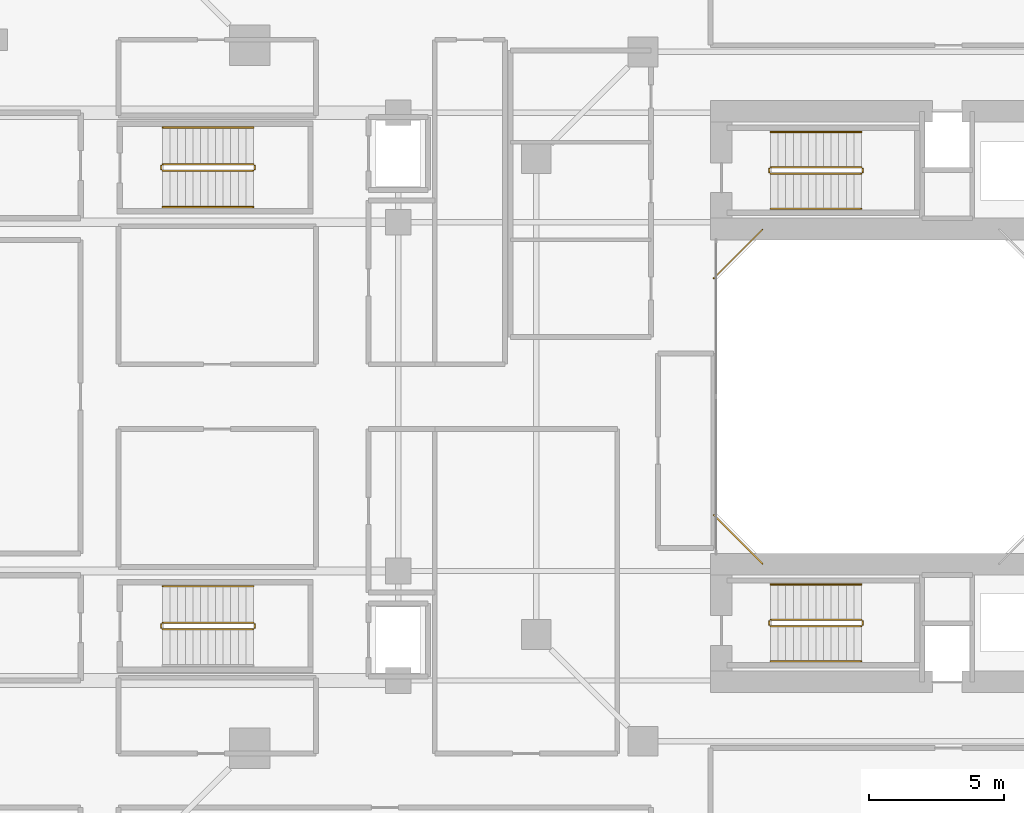
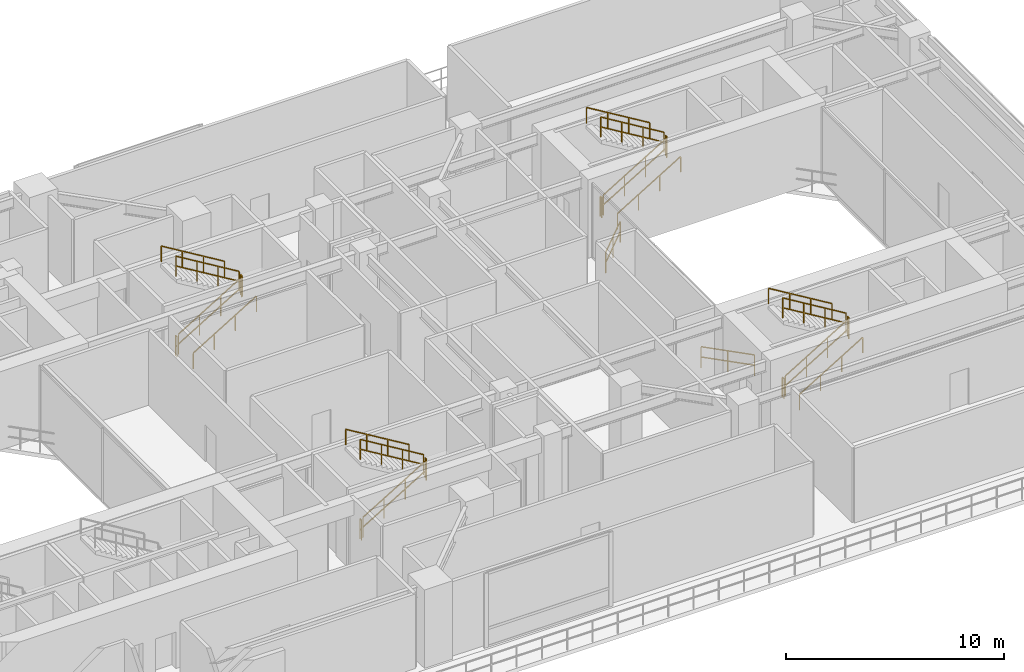
# One storey, part 18 of 19: 25 railings.
"""IFC4 building model written with IfcOpenShell, lengths in metres."""

import ifcopenshell
import ifcopenshell.guid

model = None  # the IFC model being written
_history = None  # IfcOwnerHistory: only IFC2X3 demands one
_inside = {}  # id of a spatial element -> (the spatial element, [elements in it])
_under = {}  # id of a project, library or spatial element -> (it, [spatial elements below it])
_declared = {}  # id of a project -> (the project, [libraries it declares])
_typed = {}  # id of a type object -> (the type object, [elements of that type])
_made_of = {}  # id of a material, layer set ... -> (it, [elements and type objects made of it])


def new_model(schema):
    """Start an empty IFC model of exactly this schema.

    Asked for "IFC4X3", IfcOpenShell would pick the latest addendum, in which some entities
    have other attributes; the version numbers below select the first issue.
    IFC2X3 requires an IfcOwnerHistory on every rooted entity: one is made here for all.
    """
    global model, _history
    if schema == "IFC4X3":
        model = ifcopenshell.file(schema_version=(4, 3, 0, 0))
    else:
        model = ifcopenshell.file(schema=schema)
    _inside.clear()
    _under.clear()
    _declared.clear()
    _typed.clear()
    _made_of.clear()
    _history = None
    if model.schema == "IFC2X3":
        org = make("IfcOrganization", Name="unknown")
        user = make(
            "IfcPersonAndOrganization",
            ThePerson=make("IfcPerson", FamilyName="unknown"),
            TheOrganization=org,
        )
        app = make(
            "IfcApplication",
            ApplicationDeveloper=org,
            Version="unknown",
            ApplicationFullName="unknown",
            ApplicationIdentifier="unknown",
        )
        _history = make(
            "IfcOwnerHistory",
            OwningUser=user,
            OwningApplication=app,
            ChangeAction="ADDED",
            CreationDate=0,
        )
    return model


def make(cls, **values):
    """One entity of the class cls with the attributes given. An attribute that is None is left unset."""
    return model.create_entity(
        cls, **{name: value for name, value in values.items() if value is not None}
    )


def rooted(cls, **values):
    """An entity with a GlobalId (a new one), such as an element, a storey or a relation."""
    return make(cls, GlobalId=ifcopenshell.guid.new(), OwnerHistory=_history, **values)


def si_unit(unit_type, name, prefix=None):
    """IfcSIUnit, for example si_unit("LENGTHUNIT", "METRE", prefix="MILLI")."""
    return make("IfcSIUnit", UnitType=unit_type, Prefix=prefix, Name=name)


def assignment(units):
    """IfcUnitAssignment: the units of a project."""
    return None if units is None else make("IfcUnitAssignment", Units=units)


def point(xyz):
    """IfcCartesianPoint."""
    return None if xyz is None else make("IfcCartesianPoint", Coordinates=xyz)


def direction(xyz):
    """IfcDirection."""
    return None if xyz is None else make("IfcDirection", DirectionRatios=xyz)


def frame(location, z_axis=None, x_axis=None):
    """IfcAxis2Placement3D, a coordinate frame: its origin and axes. An axis left out is left unset."""
    return make(
        "IfcAxis2Placement3D",
        Location=point(location),
        Axis=direction(z_axis),
        RefDirection=direction(x_axis),
    )


def frame_2d(location, x_axis=None):
    """IfcAxis2Placement2D, a coordinate frame in the plane: its origin and x axis."""
    return make(
        "IfcAxis2Placement2D", Location=point(location), RefDirection=direction(x_axis)
    )


def origin():
    """The frame at (0, 0, 0) with its axes left unset."""
    return frame((0.0, 0.0, 0.0))


def origin_2d():
    """The frame at (0, 0) in the plane with its x axis left unset."""
    return frame_2d((0.0, 0.0))


def place(relative_to, where):
    """IfcLocalPlacement: puts the frame where relative to a parent placement (None: the world)."""
    return make(
        "IfcLocalPlacement", PlacementRelTo=relative_to, RelativePlacement=where
    )


def context(
    kind, dimensions, precision=None, world=None, true_north=None, identifier=None
):
    """IfcGeometricRepresentationContext, for example the 3D "Model" context."""
    return make(
        "IfcGeometricRepresentationContext",
        ContextIdentifier=identifier,
        ContextType=kind,
        CoordinateSpaceDimension=dimensions,
        Precision=precision,
        WorldCoordinateSystem=world,
        TrueNorth=true_north,
    )


def subcontext(parent, identifier, kind, view, scale=None):
    """IfcGeometricRepresentationSubContext, for example "Body" below "Model"."""
    return make(
        "IfcGeometricRepresentationSubContext",
        ContextIdentifier=identifier,
        ContextType=kind,
        ParentContext=parent,
        TargetScale=scale,
        TargetView=view,
    )


def project(units=None, contexts=None):
    """IfcProject with its units and contexts."""
    return rooted(
        "IfcProject",
        Name="project",
        RepresentationContexts=contexts,
        UnitsInContext=assignment(units),
    )


def spatial(cls, under=None, at=None, **own):
    """A site, building, storey or space (cls), placed at a placement, below another one or the project."""
    s = rooted(cls, ObjectPlacement=at, **own)
    if under is not None:
        _under.setdefault(under.id(), (under, []))[1].append(s)
    return s


def profile(cls, at=None, kind="AREA", **sizes):
    """A parametric profile (cls). Its sizes go by their IFC names, for example OverallWidth=200.0."""
    return make(cls, ProfileType=kind, Position=at, **sizes)


def rectangle(**sizes):
    """IfcRectangleProfileDef."""
    return profile("IfcRectangleProfileDef", **sizes)


def extrude(swept, where, along, depth):
    """IfcExtrudedAreaSolid: the profile swept, set in the frame where, extruded along a direction by depth."""
    return make(
        "IfcExtrudedAreaSolid",
        SweptArea=swept,
        Position=where,
        ExtrudedDirection=direction(along),
        Depth=depth,
    )


def shape(context_of_items, identifier, shape_type, items):
    """IfcShapeRepresentation: the items that make up one representation, for example the "Body"."""
    return make(
        "IfcShapeRepresentation",
        ContextOfItems=context_of_items,
        RepresentationIdentifier=identifier,
        RepresentationType=shape_type,
        Items=items,
    )


def material(Name=None, Category=None):
    """IfcMaterial."""
    return make("IfcMaterial", Name=Name, Category=Category)


def made_of(thing, what):
    """Note that an element or type object is made of a material, layer set ...; save() writes the relation."""
    if what is not None:
        _made_of.setdefault(what.id(), (what, []))[1].append(thing)
    return thing


def type_object(cls, material=None, **own):
    """A type object (cls), such as IfcWallType, which elements share."""
    return made_of(rooted(cls, **own), material)


def element(
    cls,
    number,
    at=None,
    inside=None,
    cuts=None,
    type_object=None,
    material=None,
    context=None,
    identifier="Body",
    shape_type=None,
    held_by="IfcProductDefinitionShape",
    body=None,
    shapes=None,
    **own,
):
    """One element of the class cls, such as IfcWall. Its Tag is "e" and its number.

    at: its placement. inside: the storey or other place that contains it. cuts: it is an
    opening in that element (IfcRelVoidsElement). A single representation is given by context,
    identifier, shape_type and body (its items); several are given by shapes. held_by: the class
    of the entity that holds the representations. save() writes the other relations.
    """
    e = rooted(cls, Tag="e%d" % number, ObjectPlacement=at, **own)
    if body is not None:
        shapes = [shape(context, identifier, shape_type, body)]
    if shapes is not None:
        e.Representation = make(held_by, Representations=shapes)
    if inside is not None:
        _inside.setdefault(inside.id(), (inside, []))[1].append(e)
    if cuts is not None:
        rooted(
            "IfcRelVoidsElement", RelatingBuildingElement=cuts, RelatedOpeningElement=e
        )
    if type_object is not None:
        _typed.setdefault(type_object.id(), (type_object, []))[1].append(e)
    return made_of(e, material)


def aggregate(whole, parts):
    """IfcRelAggregates: a whole, such as a stair, and the parts it consists of."""
    return rooted("IfcRelAggregates", RelatingObject=whole, RelatedObjects=parts)


def save(model, path):
    """Write the relations noted so far, then the file.

    IfcRelAggregates (storeys below a building ...), IfcRelContainedInSpatialStructure (elements
    in a storey), IfcRelDefinesByType, IfcRelAssociatesMaterial and IfcRelDeclares: one each for
    every whole, place, type object, material and project.
    """
    for whole, parts in _under.values():
        aggregate(whole, parts)
    for where, things in _inside.values():
        rooted(
            "IfcRelContainedInSpatialStructure",
            RelatedElements=things,
            RelatingStructure=where,
        )
    for kind, things in _typed.values():
        rooted("IfcRelDefinesByType", RelatedObjects=things, RelatingType=kind)
    for what, things in _made_of.values():
        rooted("IfcRelAssociatesMaterial", RelatedObjects=things, RelatingMaterial=what)
    for by, libraries in _declared.values():
        rooted("IfcRelDeclares", RelatingContext=by, RelatedDefinitions=libraries)
    model.write(path)


model = new_model("IFC4")

# Units and contexts
model_context = context("Model", 3, precision=1e-05, world=origin(), true_north=direction((0.0, 1.0)))
body_context = subcontext(model_context, "Body", "Model", "MODEL_VIEW")
ifc_project = project(units=[si_unit("LENGTHUNIT", "METRE"), si_unit("AREAUNIT", "SQUARE_METRE"), si_unit("VOLUMEUNIT", "CUBIC_METRE"), si_unit("PLANEANGLEUNIT", "RADIAN"), si_unit("MASSUNIT", "GRAM", prefix="KILO"), si_unit("THERMODYNAMICTEMPERATUREUNIT", "KELVIN"), si_unit("POWERUNIT", "WATT")], contexts=[model_context])

# Site, building, storey
site_placement = place(None, origin())
site = spatial("IfcSite", under=ifc_project, at=site_placement, CompositionType="ELEMENT")
building_placement = place(site_placement, origin())
building = spatial("IfcBuilding", under=site, at=building_placement, Name="Qiaomeng Ring Towers", CompositionType="ELEMENT")
storey_placement = place(building_placement, frame((0.0, 0.0, 9.39990234375)))
storey = spatial("IfcBuildingStorey", under=building, at=storey_placement, Name="L02", CompositionType="ELEMENT", Elevation=9.39990234375)

# Railings
ifc_material_1 = material(Name="Low-E pale-green laminated safety glass", Category="glass")
railing_type_1 = type_object("IfcRailingType", Name="ARC-RL-BAL1", PredefinedType="BALUSTRADE", material=ifc_material_1)
railing_1_placement = place(storey_placement, frame((56.1201171875, 29.179931640625, 0.0)))
element("IfcRailing", 1, at=railing_1_placement, inside=storey, type_object=railing_type_1, Name="L02 Balustrade ARC-BAL-WELL2-L02-3", PredefinedType="BALUSTRADE", context=body_context, shape_type="SweptSolid", body=[
    extrude(rectangle(XDim=0.048095703125, YDim=0.048095703125, at=origin_2d()), frame((0.0, 0.0, 1.17578125), z_axis=(-0.707106781187, -0.707106781187, 0.0), x_axis=(0.707106781187, -0.707106781187, 0.0)), (0.0, 0.0, 1.0), 2.545654296875),
    extrude(rectangle(XDim=0.048095703125, YDim=0.048095703125, at=origin_2d()), frame((0.0, 0.0, 0.60009765625), z_axis=(-0.707106781187, -0.707106781187, 0.0), x_axis=(0.707106781187, -0.707106781187, 0.0)), (0.0, 0.0, 1.0), 2.545654296875),
    extrude(rectangle(XDim=0.0419921875, YDim=0.0419921875, at=origin_2d()), origin(), (0.0, 0.0, 1.0), 1.15185546875),
    extrude(rectangle(XDim=0.0419921875, YDim=0.0419921875, at=origin_2d()), frame((-0.89990234375, -0.89990234375, 0.0)), (0.0, 0.0, 1.0), 1.15185546875),
    extrude(rectangle(XDim=0.0419921875, YDim=0.0419921875, at=origin_2d()), frame((-1.800048828125, -1.800048828125, 0.0)), (0.0, 0.0, 1.0), 1.15185546875),
])
railing_2_placement = place(storey_placement, frame((54.320068359375, 18.6201171875, 0.0)))
element("IfcRailing", 2, at=railing_2_placement, inside=storey, type_object=railing_type_1, Name="L02 Balustrade ARC-BAL-WELL2-L02-4", PredefinedType="BALUSTRADE", context=body_context, shape_type="SweptSolid", body=[
    extrude(rectangle(XDim=0.048095703125, YDim=0.048095703125, at=origin_2d()), frame((0.0, 0.0, 1.17578125), z_axis=(0.707106781187, -0.707106781187, 0.0), x_axis=(0.707106781187, 0.707106781187, 0.0)), (0.0, 0.0, 1.0), 2.545654296875),
    extrude(rectangle(XDim=0.048095703125, YDim=0.048095703125, at=origin_2d()), frame((0.0, 0.0, 0.60009765625), z_axis=(0.707106781187, -0.707106781187, 0.0), x_axis=(0.707106781187, 0.707106781187, 0.0)), (0.0, 0.0, 1.0), 2.545654296875),
    extrude(rectangle(XDim=0.0419921875, YDim=0.0419921875, at=origin_2d()), origin(), (0.0, 0.0, 1.0), 1.15185546875),
    extrude(rectangle(XDim=0.0419921875, YDim=0.0419921875, at=origin_2d()), frame((0.89990234375, -0.89990234375, 0.0)), (0.0, 0.0, 1.0), 1.15185546875),
    extrude(rectangle(XDim=0.0419921875, YDim=0.0419921875, at=origin_2d()), frame((1.800048828125, -1.800048828125, 0.0)), (0.0, 0.0, 1.0), 1.15185546875),
])
ifc_material_2 = material(Name="Galvanised steel", Category="steel")
railing_type_2 = type_object("IfcRailingType", Name="ARC-RL-GUARD", PredefinedType="GUARDRAIL", material=ifc_material_2)
railing_3_placement = place(storey_placement, frame((56.419921875, 31.25, 0.16943359375)))
element("IfcRailing", 3, at=railing_3_placement, inside=storey, type_object=railing_type_2, Name="L02 ST5 stair guard 1", PredefinedType="GUARDRAIL", context=body_context, shape_type="SweptSolid", body=[
    extrude(rectangle(XDim=0.048095703125, YDim=0.048095703125, at=origin_2d()), frame((0.0, 0.0, 1.1259765625), z_axis=(0.855836976705, 0.0, 0.517245656632), x_axis=(0.0, 1.0, 0.0)), (0.0, 0.0, 1.0), 3.926025390625),
    extrude(rectangle(XDim=0.048095703125, YDim=0.048095703125, at=origin_2d()), frame((0.0, 0.0, 0.574951171875), z_axis=(0.855836976705, 0.0, 0.517245656632), x_axis=(0.0, 1.0, 0.0)), (0.0, 0.0, 1.0), 3.926025390625),
    extrude(rectangle(XDim=0.0419921875, YDim=0.0419921875, at=origin_2d()), origin(), (0.0, 0.0, 1.0), 1.101806640625),
    extrude(rectangle(XDim=0.0419921875, YDim=0.0419921875, at=origin_2d()), frame((1.1201171875, 0.0, 0.677001953125)), (0.0, 0.0, 1.0), 1.101806640625),
    extrude(rectangle(XDim=0.0419921875, YDim=0.0419921875, at=origin_2d()), frame((2.239990234375, 0.0, 1.353759765625)), (0.0, 0.0, 1.0), 1.101806640625),
    extrude(rectangle(XDim=0.0419921875, YDim=0.0419921875, at=origin_2d()), frame((3.360107421875, 0.0, 2.03076171875)), (0.0, 0.0, 1.0), 1.101806640625),
])
railing_4_placement = place(storey_placement, frame((59.830078125, 31.300048828125, 2.2001953125)))
element("IfcRailing", 4, at=railing_4_placement, inside=storey, type_object=railing_type_2, Name="L02 ST5 stair guard 2", PredefinedType="GUARDRAIL", context=body_context, shape_type="SweptSolid", body=[
    extrude(rectangle(XDim=0.048095703125, YDim=0.048095703125, at=origin_2d()), frame((0.0, 0.0, 1.1259765625), z_axis=(0.0, 1.0, 0.0), x_axis=(-1.0, 0.0, 0.0)), (0.0, 0.0, 1.0), 0.139892578125),
    extrude(rectangle(XDim=0.048095703125, YDim=0.048095703125, at=origin_2d()), frame((0.0, 0.0, 0.574951171875), z_axis=(0.0, 1.0, 0.0), x_axis=(-1.0, 0.0, 0.0)), (0.0, 0.0, 1.0), 0.139892578125),
    extrude(rectangle(XDim=0.0419921875, YDim=0.0419921875, at=origin_2d()), origin(), (0.0, 0.0, 1.0), 1.101806640625),
    extrude(rectangle(XDim=0.0419921875, YDim=0.0419921875, at=origin_2d()), frame((0.0, 0.139892578125, 0.0)), (0.0, 0.0, 1.0), 1.101806640625),
])
railing_5_placement = place(storey_placement, frame((59.780029296875, 31.489990234375, 2.369384765625)))
element("IfcRailing", 5, at=railing_5_placement, inside=storey, type_object=railing_type_2, Name="L02 ST5 stair guard 3", PredefinedType="GUARDRAIL", context=body_context, shape_type="SweptSolid", body=[
    extrude(rectangle(XDim=0.048095703125, YDim=0.048095703125, at=origin_2d()), frame((0.0, 0.0, 1.1259765625), z_axis=(-0.855836976705, 0.0, 0.517245656632), x_axis=(0.0, -1.0, 0.0)), (0.0, 0.0, 1.0), 3.926025390625),
    extrude(rectangle(XDim=0.048095703125, YDim=0.048095703125, at=origin_2d()), frame((0.0, 0.0, 0.574951171875), z_axis=(-0.855836976705, 0.0, 0.517245656632), x_axis=(0.0, -1.0, 0.0)), (0.0, 0.0, 1.0), 3.926025390625),
    extrude(rectangle(XDim=0.0419921875, YDim=0.0419921875, at=origin_2d()), origin(), (0.0, 0.0, 1.0), 1.101806640625),
    extrude(rectangle(XDim=0.0419921875, YDim=0.0419921875, at=origin_2d()), frame((-1.1201171875, 0.0, 0.677001953125)), (0.0, 0.0, 1.0), 1.101806640625),
    extrude(rectangle(XDim=0.0419921875, YDim=0.0419921875, at=origin_2d()), frame((-2.239990234375, 0.0, 1.353759765625)), (0.0, 0.0, 1.0), 1.101806640625),
    extrude(rectangle(XDim=0.0419921875, YDim=0.0419921875, at=origin_2d()), frame((-3.360107421875, 0.0, 2.03076171875)), (0.0, 0.0, 1.0), 1.101806640625),
])
railing_6_placement = place(storey_placement, frame((56.3701171875, 31.300048828125, 0.0)))
element("IfcRailing", 6, at=railing_6_placement, inside=storey, type_object=railing_type_2, Name="L02 ST5 stair guard 4", PredefinedType="GUARDRAIL", context=body_context, shape_type="SweptSolid", body=[
    extrude(rectangle(XDim=0.048095703125, YDim=0.048095703125, at=origin_2d()), frame((0.0, 0.0, 1.1259765625), z_axis=(0.0, 1.0, 0.0), x_axis=(-1.0, 0.0, 0.0)), (0.0, 0.0, 1.0), 0.139892578125),
    extrude(rectangle(XDim=0.048095703125, YDim=0.048095703125, at=origin_2d()), frame((0.0, 0.0, 0.574951171875), z_axis=(0.0, 1.0, 0.0), x_axis=(-1.0, 0.0, 0.0)), (0.0, 0.0, 1.0), 0.139892578125),
    extrude(rectangle(XDim=0.0419921875, YDim=0.0419921875, at=origin_2d()), origin(), (0.0, 0.0, 1.0), 1.101806640625),
    extrude(rectangle(XDim=0.0419921875, YDim=0.0419921875, at=origin_2d()), frame((0.0, 0.139892578125, 0.0)), (0.0, 0.0, 1.0), 1.101806640625),
])
railing_7_placement = place(storey_placement, frame((56.419921875, 14.510009765625, 0.16943359375)))
element("IfcRailing", 7, at=railing_7_placement, inside=storey, type_object=railing_type_2, Name="L02 ST6 stair guard 1", PredefinedType="GUARDRAIL", context=body_context, shape_type="SweptSolid", body=[
    extrude(rectangle(XDim=0.048095703125, YDim=0.048095703125, at=origin_2d()), frame((0.0, 0.0, 1.1259765625), z_axis=(0.855836976705, 0.0, 0.517245656632), x_axis=(0.0, 1.0, 0.0)), (0.0, 0.0, 1.0), 3.926025390625),
    extrude(rectangle(XDim=0.048095703125, YDim=0.048095703125, at=origin_2d()), frame((0.0, 0.0, 0.574951171875), z_axis=(0.855836976705, 0.0, 0.517245656632), x_axis=(0.0, 1.0, 0.0)), (0.0, 0.0, 1.0), 3.926025390625),
    extrude(rectangle(XDim=0.0419921875, YDim=0.0419921875, at=origin_2d()), origin(), (0.0, 0.0, 1.0), 1.101806640625),
    extrude(rectangle(XDim=0.0419921875, YDim=0.0419921875, at=origin_2d()), frame((1.1201171875, 0.0, 0.677001953125)), (0.0, 0.0, 1.0), 1.101806640625),
    extrude(rectangle(XDim=0.0419921875, YDim=0.0419921875, at=origin_2d()), frame((2.239990234375, 0.0, 1.353759765625)), (0.0, 0.0, 1.0), 1.101806640625),
    extrude(rectangle(XDim=0.0419921875, YDim=0.0419921875, at=origin_2d()), frame((3.360107421875, 0.0, 2.03076171875)), (0.0, 0.0, 1.0), 1.101806640625),
])
railing_8_placement = place(storey_placement, frame((59.830078125, 14.56005859375, 2.2001953125)))
element("IfcRailing", 8, at=railing_8_placement, inside=storey, type_object=railing_type_2, Name="L02 ST6 stair guard 2", PredefinedType="GUARDRAIL", context=body_context, shape_type="SweptSolid", body=[
    extrude(rectangle(XDim=0.048095703125, YDim=0.048095703125, at=origin_2d()), frame((0.0, 0.0, 1.1259765625), z_axis=(0.0, 1.0, 0.0), x_axis=(-1.0, 0.0, 0.0)), (0.0, 0.0, 1.0), 0.139892578125),
    extrude(rectangle(XDim=0.048095703125, YDim=0.048095703125, at=origin_2d()), frame((0.0, 0.0, 0.574951171875), z_axis=(0.0, 1.0, 0.0), x_axis=(-1.0, 0.0, 0.0)), (0.0, 0.0, 1.0), 0.139892578125),
    extrude(rectangle(XDim=0.0419921875, YDim=0.0419921875, at=origin_2d()), origin(), (0.0, 0.0, 1.0), 1.101806640625),
    extrude(rectangle(XDim=0.0419921875, YDim=0.0419921875, at=origin_2d()), frame((0.0, 0.139892578125, 0.0)), (0.0, 0.0, 1.0), 1.101806640625),
])
railing_9_placement = place(storey_placement, frame((59.780029296875, 14.75, 2.369384765625)))
element("IfcRailing", 9, at=railing_9_placement, inside=storey, type_object=railing_type_2, Name="L02 ST6 stair guard 3", PredefinedType="GUARDRAIL", context=body_context, shape_type="SweptSolid", body=[
    extrude(rectangle(XDim=0.048095703125, YDim=0.048095703125, at=origin_2d()), frame((0.0, 0.0, 1.1259765625), z_axis=(-0.855836976705, 0.0, 0.517245656632), x_axis=(0.0, -1.0, 0.0)), (0.0, 0.0, 1.0), 3.926025390625),
    extrude(rectangle(XDim=0.048095703125, YDim=0.048095703125, at=origin_2d()), frame((0.0, 0.0, 0.574951171875), z_axis=(-0.855836976705, 0.0, 0.517245656632), x_axis=(0.0, -1.0, 0.0)), (0.0, 0.0, 1.0), 3.926025390625),
    extrude(rectangle(XDim=0.0419921875, YDim=0.0419921875, at=origin_2d()), origin(), (0.0, 0.0, 1.0), 1.101806640625),
    extrude(rectangle(XDim=0.0419921875, YDim=0.0419921875, at=origin_2d()), frame((-1.1201171875, 0.0, 0.677001953125)), (0.0, 0.0, 1.0), 1.101806640625),
    extrude(rectangle(XDim=0.0419921875, YDim=0.0419921875, at=origin_2d()), frame((-2.239990234375, 0.0, 1.353759765625)), (0.0, 0.0, 1.0), 1.101806640625),
    extrude(rectangle(XDim=0.0419921875, YDim=0.0419921875, at=origin_2d()), frame((-3.360107421875, 0.0, 2.03076171875)), (0.0, 0.0, 1.0), 1.101806640625),
])
railing_10_placement = place(storey_placement, frame((56.3701171875, 14.56005859375, 0.0)))
element("IfcRailing", 10, at=railing_10_placement, inside=storey, type_object=railing_type_2, Name="L02 ST6 stair guard 4", PredefinedType="GUARDRAIL", context=body_context, shape_type="SweptSolid", body=[
    extrude(rectangle(XDim=0.048095703125, YDim=0.048095703125, at=origin_2d()), frame((0.0, 0.0, 1.1259765625), z_axis=(0.0, 1.0, 0.0), x_axis=(-1.0, 0.0, 0.0)), (0.0, 0.0, 1.0), 0.139892578125),
    extrude(rectangle(XDim=0.048095703125, YDim=0.048095703125, at=origin_2d()), frame((0.0, 0.0, 0.574951171875), z_axis=(0.0, 1.0, 0.0), x_axis=(-1.0, 0.0, 0.0)), (0.0, 0.0, 1.0), 0.139892578125),
    extrude(rectangle(XDim=0.0419921875, YDim=0.0419921875, at=origin_2d()), origin(), (0.0, 0.0, 1.0), 1.101806640625),
    extrude(rectangle(XDim=0.0419921875, YDim=0.0419921875, at=origin_2d()), frame((0.0, 0.139892578125, 0.0)), (0.0, 0.0, 1.0), 1.101806640625),
])
railing_11_placement = place(storey_placement, frame((33.929931640625, 31.360107421875, 0.16943359375)))
element("IfcRailing", 11, at=railing_11_placement, inside=storey, type_object=railing_type_2, Name="L02 ST7 stair guard 1", PredefinedType="GUARDRAIL", context=body_context, shape_type="SweptSolid", body=[
    extrude(rectangle(XDim=0.048095703125, YDim=0.048095703125, at=origin_2d()), frame((0.0, 0.0, 1.1259765625), z_axis=(0.855836976705, 0.0, 0.517245656632), x_axis=(0.0, 1.0, 0.0)), (0.0, 0.0, 1.0), 3.926025390625),
    extrude(rectangle(XDim=0.048095703125, YDim=0.048095703125, at=origin_2d()), frame((0.0, 0.0, 0.574951171875), z_axis=(0.855836976705, 0.0, 0.517245656632), x_axis=(0.0, 1.0, 0.0)), (0.0, 0.0, 1.0), 3.926025390625),
    extrude(rectangle(XDim=0.0419921875, YDim=0.0419921875, at=origin_2d()), origin(), (0.0, 0.0, 1.0), 1.101806640625),
    extrude(rectangle(XDim=0.0419921875, YDim=0.0419921875, at=origin_2d()), frame((1.1201171875, 0.0, 0.677001953125)), (0.0, 0.0, 1.0), 1.101806640625),
    extrude(rectangle(XDim=0.0419921875, YDim=0.0419921875, at=origin_2d()), frame((2.239990234375, 0.0, 1.353759765625)), (0.0, 0.0, 1.0), 1.101806640625),
    extrude(rectangle(XDim=0.0419921875, YDim=0.0419921875, at=origin_2d()), frame((3.360107421875, 0.0, 2.03076171875)), (0.0, 0.0, 1.0), 1.101806640625),
])
railing_12_placement = place(storey_placement, frame((37.340087890625, 31.409912109375, 2.2001953125)))
element("IfcRailing", 12, at=railing_12_placement, inside=storey, type_object=railing_type_2, Name="L02 ST7 stair guard 2", PredefinedType="GUARDRAIL", context=body_context, shape_type="SweptSolid", body=[
    extrude(rectangle(XDim=0.048095703125, YDim=0.048095703125, at=origin_2d()), frame((0.0, 0.0, 1.1259765625), z_axis=(0.0, 1.0, 0.0), x_axis=(-1.0, 0.0, 0.0)), (0.0, 0.0, 1.0), 0.14013671875),
    extrude(rectangle(XDim=0.048095703125, YDim=0.048095703125, at=origin_2d()), frame((0.0, 0.0, 0.574951171875), z_axis=(0.0, 1.0, 0.0), x_axis=(-1.0, 0.0, 0.0)), (0.0, 0.0, 1.0), 0.14013671875),
    extrude(rectangle(XDim=0.0419921875, YDim=0.0419921875, at=origin_2d()), origin(), (0.0, 0.0, 1.0), 1.101806640625),
    extrude(rectangle(XDim=0.0419921875, YDim=0.0419921875, at=origin_2d()), frame((0.0, 0.14013671875, 0.0)), (0.0, 0.0, 1.0), 1.101806640625),
])
railing_13_placement = place(storey_placement, frame((37.2900390625, 31.60009765625, 2.369384765625)))
element("IfcRailing", 13, at=railing_13_placement, inside=storey, type_object=railing_type_2, Name="L02 ST7 stair guard 3", PredefinedType="GUARDRAIL", context=body_context, shape_type="SweptSolid", body=[
    extrude(rectangle(XDim=0.048095703125, YDim=0.048095703125, at=origin_2d()), frame((0.0, 0.0, 1.1259765625), z_axis=(-0.855836976705, 0.0, 0.517245656632), x_axis=(0.0, -1.0, 0.0)), (0.0, 0.0, 1.0), 3.926025390625),
    extrude(rectangle(XDim=0.048095703125, YDim=0.048095703125, at=origin_2d()), frame((0.0, 0.0, 0.574951171875), z_axis=(-0.855836976705, 0.0, 0.517245656632), x_axis=(0.0, -1.0, 0.0)), (0.0, 0.0, 1.0), 3.926025390625),
    extrude(rectangle(XDim=0.0419921875, YDim=0.0419921875, at=origin_2d()), origin(), (0.0, 0.0, 1.0), 1.101806640625),
    extrude(rectangle(XDim=0.0419921875, YDim=0.0419921875, at=origin_2d()), frame((-1.1201171875, 0.0, 0.677001953125)), (0.0, 0.0, 1.0), 1.101806640625),
    extrude(rectangle(XDim=0.0419921875, YDim=0.0419921875, at=origin_2d()), frame((-2.239990234375, 0.0, 1.353759765625)), (0.0, 0.0, 1.0), 1.101806640625),
    extrude(rectangle(XDim=0.0419921875, YDim=0.0419921875, at=origin_2d()), frame((-3.360107421875, 0.0, 2.03076171875)), (0.0, 0.0, 1.0), 1.101806640625),
])
railing_14_placement = place(storey_placement, frame((33.8798828125, 31.409912109375, 0.0)))
element("IfcRailing", 14, at=railing_14_placement, inside=storey, type_object=railing_type_2, Name="L02 ST7 stair guard 4", PredefinedType="GUARDRAIL", context=body_context, shape_type="SweptSolid", body=[
    extrude(rectangle(XDim=0.048095703125, YDim=0.048095703125, at=origin_2d()), frame((0.0, 0.0, 1.1259765625), z_axis=(0.0, 1.0, 0.0), x_axis=(-1.0, 0.0, 0.0)), (0.0, 0.0, 1.0), 0.14013671875),
    extrude(rectangle(XDim=0.048095703125, YDim=0.048095703125, at=origin_2d()), frame((0.0, 0.0, 0.574951171875), z_axis=(0.0, 1.0, 0.0), x_axis=(-1.0, 0.0, 0.0)), (0.0, 0.0, 1.0), 0.14013671875),
    extrude(rectangle(XDim=0.0419921875, YDim=0.0419921875, at=origin_2d()), origin(), (0.0, 0.0, 1.0), 1.101806640625),
    extrude(rectangle(XDim=0.0419921875, YDim=0.0419921875, at=origin_2d()), frame((0.0, 0.14013671875, 0.0)), (0.0, 0.0, 1.0), 1.101806640625),
])
railing_15_placement = place(storey_placement, frame((33.929931640625, 14.39990234375, 0.16943359375)))
element("IfcRailing", 15, at=railing_15_placement, inside=storey, type_object=railing_type_2, Name="L02 ST8 stair guard 1", PredefinedType="GUARDRAIL", context=body_context, shape_type="SweptSolid", body=[
    extrude(rectangle(XDim=0.048095703125, YDim=0.048095703125, at=origin_2d()), frame((0.0, 0.0, 1.1259765625), z_axis=(0.855836976705, 0.0, 0.517245656632), x_axis=(0.0, 1.0, 0.0)), (0.0, 0.0, 1.0), 3.926025390625),
    extrude(rectangle(XDim=0.048095703125, YDim=0.048095703125, at=origin_2d()), frame((0.0, 0.0, 0.574951171875), z_axis=(0.855836976705, 0.0, 0.517245656632), x_axis=(0.0, 1.0, 0.0)), (0.0, 0.0, 1.0), 3.926025390625),
    extrude(rectangle(XDim=0.0419921875, YDim=0.0419921875, at=origin_2d()), origin(), (0.0, 0.0, 1.0), 1.101806640625),
    extrude(rectangle(XDim=0.0419921875, YDim=0.0419921875, at=origin_2d()), frame((1.1201171875, 0.0, 0.677001953125)), (0.0, 0.0, 1.0), 1.101806640625),
    extrude(rectangle(XDim=0.0419921875, YDim=0.0419921875, at=origin_2d()), frame((2.239990234375, 0.0, 1.353759765625)), (0.0, 0.0, 1.0), 1.101806640625),
    extrude(rectangle(XDim=0.0419921875, YDim=0.0419921875, at=origin_2d()), frame((3.360107421875, 0.0, 2.03076171875)), (0.0, 0.0, 1.0), 1.101806640625),
])
railing_16_placement = place(storey_placement, frame((37.340087890625, 14.449951171875, 2.2001953125)))
element("IfcRailing", 16, at=railing_16_placement, inside=storey, type_object=railing_type_2, Name="L02 ST8 stair guard 2", PredefinedType="GUARDRAIL", context=body_context, shape_type="SweptSolid", body=[
    extrude(rectangle(XDim=0.048095703125, YDim=0.048095703125, at=origin_2d()), frame((0.0, 0.0, 1.1259765625), z_axis=(0.0, 1.0, 0.0), x_axis=(-1.0, 0.0, 0.0)), (0.0, 0.0, 1.0), 0.14013671875),
    extrude(rectangle(XDim=0.048095703125, YDim=0.048095703125, at=origin_2d()), frame((0.0, 0.0, 0.574951171875), z_axis=(0.0, 1.0, 0.0), x_axis=(-1.0, 0.0, 0.0)), (0.0, 0.0, 1.0), 0.14013671875),
    extrude(rectangle(XDim=0.0419921875, YDim=0.0419921875, at=origin_2d()), origin(), (0.0, 0.0, 1.0), 1.101806640625),
    extrude(rectangle(XDim=0.0419921875, YDim=0.0419921875, at=origin_2d()), frame((0.0, 0.14013671875, 0.0)), (0.0, 0.0, 1.0), 1.101806640625),
])
railing_17_placement = place(storey_placement, frame((37.2900390625, 14.639892578125, 2.369384765625)))
element("IfcRailing", 17, at=railing_17_placement, inside=storey, type_object=railing_type_2, Name="L02 ST8 stair guard 3", PredefinedType="GUARDRAIL", context=body_context, shape_type="SweptSolid", body=[
    extrude(rectangle(XDim=0.048095703125, YDim=0.048095703125, at=origin_2d()), frame((0.0, 0.0, 1.1259765625), z_axis=(-0.855836976705, 0.0, 0.517245656632), x_axis=(0.0, -1.0, 0.0)), (0.0, 0.0, 1.0), 3.926025390625),
    extrude(rectangle(XDim=0.048095703125, YDim=0.048095703125, at=origin_2d()), frame((0.0, 0.0, 0.574951171875), z_axis=(-0.855836976705, 0.0, 0.517245656632), x_axis=(0.0, -1.0, 0.0)), (0.0, 0.0, 1.0), 3.926025390625),
    extrude(rectangle(XDim=0.0419921875, YDim=0.0419921875, at=origin_2d()), origin(), (0.0, 0.0, 1.0), 1.101806640625),
    extrude(rectangle(XDim=0.0419921875, YDim=0.0419921875, at=origin_2d()), frame((-1.1201171875, 0.0, 0.677001953125)), (0.0, 0.0, 1.0), 1.101806640625),
    extrude(rectangle(XDim=0.0419921875, YDim=0.0419921875, at=origin_2d()), frame((-2.239990234375, 0.0, 1.353759765625)), (0.0, 0.0, 1.0), 1.101806640625),
    extrude(rectangle(XDim=0.0419921875, YDim=0.0419921875, at=origin_2d()), frame((-3.360107421875, 0.0, 2.03076171875)), (0.0, 0.0, 1.0), 1.101806640625),
])
railing_18_placement = place(storey_placement, frame((33.8798828125, 14.449951171875, 0.0)))
element("IfcRailing", 18, at=railing_18_placement, inside=storey, type_object=railing_type_2, Name="L02 ST8 stair guard 4", PredefinedType="GUARDRAIL", context=body_context, shape_type="SweptSolid", body=[
    extrude(rectangle(XDim=0.048095703125, YDim=0.048095703125, at=origin_2d()), frame((0.0, 0.0, 1.1259765625), z_axis=(0.0, 1.0, 0.0), x_axis=(-1.0, 0.0, 0.0)), (0.0, 0.0, 1.0), 0.14013671875),
    extrude(rectangle(XDim=0.048095703125, YDim=0.048095703125, at=origin_2d()), frame((0.0, 0.0, 0.574951171875), z_axis=(0.0, 1.0, 0.0), x_axis=(-1.0, 0.0, 0.0)), (0.0, 0.0, 1.0), 0.14013671875),
    extrude(rectangle(XDim=0.0419921875, YDim=0.0419921875, at=origin_2d()), origin(), (0.0, 0.0, 1.0), 1.101806640625),
    extrude(rectangle(XDim=0.0419921875, YDim=0.0419921875, at=origin_2d()), frame((0.0, 0.14013671875, 0.0)), (0.0, 0.0, 1.0), 1.101806640625),
])
ifc_material_3 = material(Name="Stainless steel 316", Category="steel")
railing_type_3 = type_object("IfcRailingType", Name="ARC-RL-HAND", PredefinedType="HANDRAIL", material=ifc_material_3)
railing_19_placement = place(storey_placement, frame((56.419921875, 29.949951171875, 0.16943359375)))
element("IfcRailing", 19, at=railing_19_placement, inside=storey, type_object=railing_type_3, Name="L02 ST5 stair handrail 1", PredefinedType="HANDRAIL", context=body_context, shape_type="SweptSolid", body=[
    extrude(rectangle(XDim=0.048095703125, YDim=0.048095703125, at=origin_2d()), frame((0.0, 0.0, 0.8759765625), z_axis=(0.855836976705, 0.0, 0.517245656632), x_axis=(0.0, 1.0, 0.0)), (0.0, 0.0, 1.0), 3.926025390625),
    extrude(rectangle(XDim=0.0419921875, YDim=0.0419921875, at=origin_2d()), origin(), (0.0, 0.0, 1.0), 0.851806640625),
    extrude(rectangle(XDim=0.0419921875, YDim=0.0419921875, at=origin_2d()), frame((1.1201171875, 0.0, 0.677001953125)), (0.0, 0.0, 1.0), 0.851806640625),
    extrude(rectangle(XDim=0.0419921875, YDim=0.0419921875, at=origin_2d()), frame((2.239990234375, 0.0, 1.353759765625)), (0.0, 0.0, 1.0), 0.851806640625),
    extrude(rectangle(XDim=0.0419921875, YDim=0.0419921875, at=origin_2d()), frame((3.360107421875, 0.0, 2.03076171875)), (0.0, 0.0, 1.0), 0.851806640625),
])
railing_20_placement = place(storey_placement, frame((59.780029296875, 32.7900390625, 2.369384765625)))
element("IfcRailing", 20, at=railing_20_placement, inside=storey, type_object=railing_type_3, Name="L02 ST5 stair handrail 2", PredefinedType="HANDRAIL", context=body_context, shape_type="SweptSolid", body=[
    extrude(rectangle(XDim=0.048095703125, YDim=0.048095703125, at=origin_2d()), frame((0.0, 0.0, 0.8759765625), z_axis=(-0.855836976705, 0.0, 0.517245656632), x_axis=(0.0, -1.0, 0.0)), (0.0, 0.0, 1.0), 3.926025390625),
    extrude(rectangle(XDim=0.0419921875, YDim=0.0419921875, at=origin_2d()), origin(), (0.0, 0.0, 1.0), 0.851806640625),
    extrude(rectangle(XDim=0.0419921875, YDim=0.0419921875, at=origin_2d()), frame((-1.1201171875, 0.0, 0.677001953125)), (0.0, 0.0, 1.0), 0.851806640625),
    extrude(rectangle(XDim=0.0419921875, YDim=0.0419921875, at=origin_2d()), frame((-2.239990234375, 0.0, 1.353759765625)), (0.0, 0.0, 1.0), 0.851806640625),
    extrude(rectangle(XDim=0.0419921875, YDim=0.0419921875, at=origin_2d()), frame((-3.360107421875, 0.0, 2.03076171875)), (0.0, 0.0, 1.0), 0.851806640625),
])
railing_21_placement = place(storey_placement, frame((56.419921875, 13.2099609375, 0.16943359375)))
element("IfcRailing", 21, at=railing_21_placement, inside=storey, type_object=railing_type_3, Name="L02 ST6 stair handrail 1", PredefinedType="HANDRAIL", context=body_context, shape_type="SweptSolid", body=[
    extrude(rectangle(XDim=0.048095703125, YDim=0.048095703125, at=origin_2d()), frame((0.0, 0.0, 0.8759765625), z_axis=(0.855836976705, 0.0, 0.517245656632), x_axis=(0.0, 1.0, 0.0)), (0.0, 0.0, 1.0), 3.926025390625),
    extrude(rectangle(XDim=0.0419921875, YDim=0.0419921875, at=origin_2d()), origin(), (0.0, 0.0, 1.0), 0.851806640625),
    extrude(rectangle(XDim=0.0419921875, YDim=0.0419921875, at=origin_2d()), frame((1.1201171875, 0.0, 0.677001953125)), (0.0, 0.0, 1.0), 0.851806640625),
    extrude(rectangle(XDim=0.0419921875, YDim=0.0419921875, at=origin_2d()), frame((2.239990234375, 0.0, 1.353759765625)), (0.0, 0.0, 1.0), 0.851806640625),
    extrude(rectangle(XDim=0.0419921875, YDim=0.0419921875, at=origin_2d()), frame((3.360107421875, 0.0, 2.03076171875)), (0.0, 0.0, 1.0), 0.851806640625),
])
railing_22_placement = place(storey_placement, frame((59.780029296875, 16.050048828125, 2.369384765625)))
element("IfcRailing", 22, at=railing_22_placement, inside=storey, type_object=railing_type_3, Name="L02 ST6 stair handrail 2", PredefinedType="HANDRAIL", context=body_context, shape_type="SweptSolid", body=[
    extrude(rectangle(XDim=0.048095703125, YDim=0.048095703125, at=origin_2d()), frame((0.0, 0.0, 0.8759765625), z_axis=(-0.855836976705, 0.0, 0.517245656632), x_axis=(0.0, -1.0, 0.0)), (0.0, 0.0, 1.0), 3.926025390625),
    extrude(rectangle(XDim=0.0419921875, YDim=0.0419921875, at=origin_2d()), origin(), (0.0, 0.0, 1.0), 0.851806640625),
    extrude(rectangle(XDim=0.0419921875, YDim=0.0419921875, at=origin_2d()), frame((-1.1201171875, 0.0, 0.677001953125)), (0.0, 0.0, 1.0), 0.851806640625),
    extrude(rectangle(XDim=0.0419921875, YDim=0.0419921875, at=origin_2d()), frame((-2.239990234375, 0.0, 1.353759765625)), (0.0, 0.0, 1.0), 0.851806640625),
    extrude(rectangle(XDim=0.0419921875, YDim=0.0419921875, at=origin_2d()), frame((-3.360107421875, 0.0, 2.03076171875)), (0.0, 0.0, 1.0), 0.851806640625),
])
railing_23_placement = place(storey_placement, frame((33.929931640625, 30.010009765625, 0.16943359375)))
element("IfcRailing", 23, at=railing_23_placement, inside=storey, type_object=railing_type_3, Name="L02 ST7 stair handrail 1", PredefinedType="HANDRAIL", context=body_context, shape_type="SweptSolid", body=[
    extrude(rectangle(XDim=0.048095703125, YDim=0.048095703125, at=origin_2d()), frame((0.0, 0.0, 0.8759765625), z_axis=(0.855836976705, 0.0, 0.517245656632), x_axis=(0.0, 1.0, 0.0)), (0.0, 0.0, 1.0), 3.926025390625),
    extrude(rectangle(XDim=0.0419921875, YDim=0.0419921875, at=origin_2d()), origin(), (0.0, 0.0, 1.0), 0.851806640625),
    extrude(rectangle(XDim=0.0419921875, YDim=0.0419921875, at=origin_2d()), frame((1.1201171875, 0.0, 0.677001953125)), (0.0, 0.0, 1.0), 0.851806640625),
    extrude(rectangle(XDim=0.0419921875, YDim=0.0419921875, at=origin_2d()), frame((2.239990234375, 0.0, 1.353759765625)), (0.0, 0.0, 1.0), 0.851806640625),
    extrude(rectangle(XDim=0.0419921875, YDim=0.0419921875, at=origin_2d()), frame((3.360107421875, 0.0, 2.03076171875)), (0.0, 0.0, 1.0), 0.851806640625),
])
for number, where, name in (
    (24, (37.2900390625, 32.949951171875, 2.369384765625), "L02 ST7 stair handrail 2"),
    (25, (37.2900390625, 15.989990234375, 2.369384765625), "L02 ST8 stair handrail 2"),
):
    element("IfcRailing", number, at=place(storey_placement, frame(where)), inside=storey, type_object=railing_type_3, Name=name, PredefinedType="HANDRAIL", context=body_context, shape_type="SweptSolid", body=[
        extrude(rectangle(XDim=0.048095703125, YDim=0.048095703125, at=origin_2d()), frame((0.0, 0.0, 0.8759765625), z_axis=(-0.855836976705, 0.0, 0.517245656632), x_axis=(0.0, -1.0, 0.0)), (0.0, 0.0, 1.0), 3.926025390625),
        extrude(rectangle(XDim=0.0419921875, YDim=0.0419921875, at=origin_2d()), origin(), (0.0, 0.0, 1.0), 0.851806640625),
        extrude(rectangle(XDim=0.0419921875, YDim=0.0419921875, at=origin_2d()), frame((-1.1201171875, 0.0, 0.677001953125)), (0.0, 0.0, 1.0), 0.851806640625),
        extrude(rectangle(XDim=0.0419921875, YDim=0.0419921875, at=origin_2d()), frame((-2.239990234375, 0.0, 1.353759765625)), (0.0, 0.0, 1.0), 0.851806640625),
        extrude(rectangle(XDim=0.0419921875, YDim=0.0419921875, at=origin_2d()), frame((-3.360107421875, 0.0, 2.03076171875)), (0.0, 0.0, 1.0), 0.851806640625),
    ])

save(model, "model.ifc")
